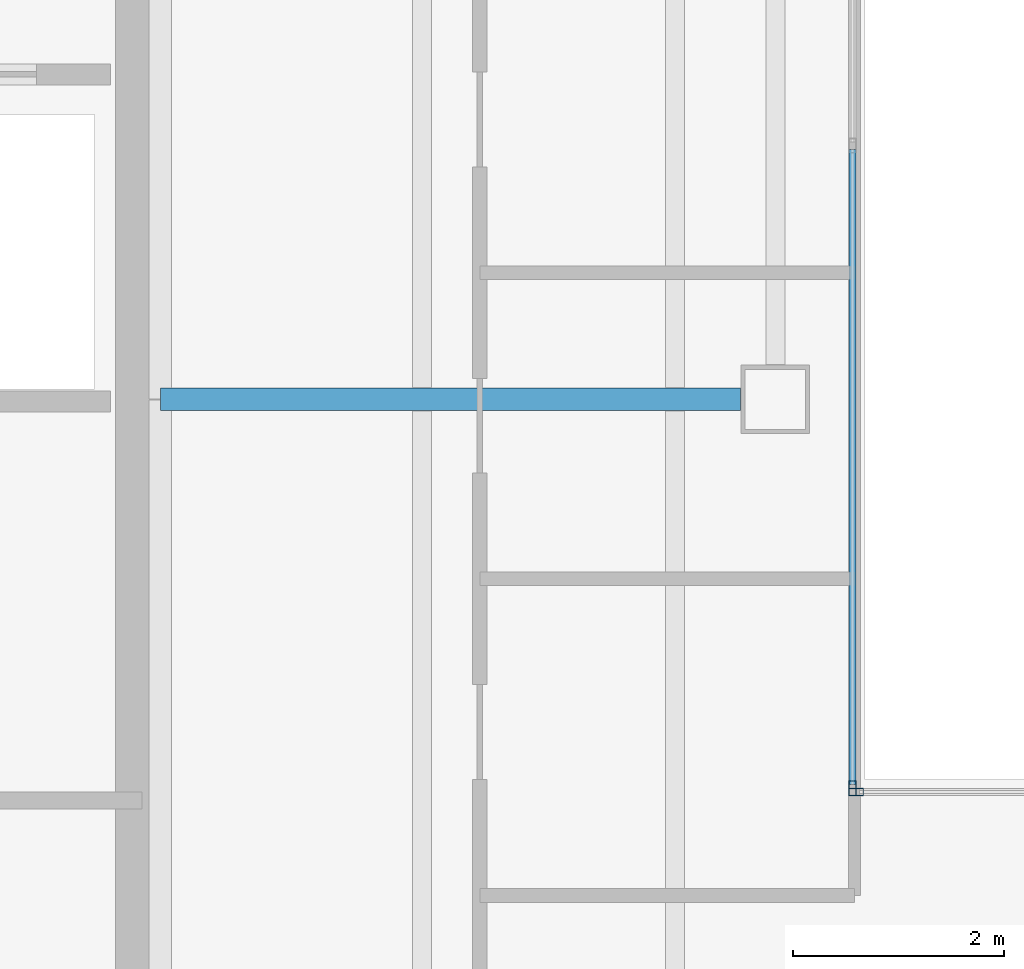
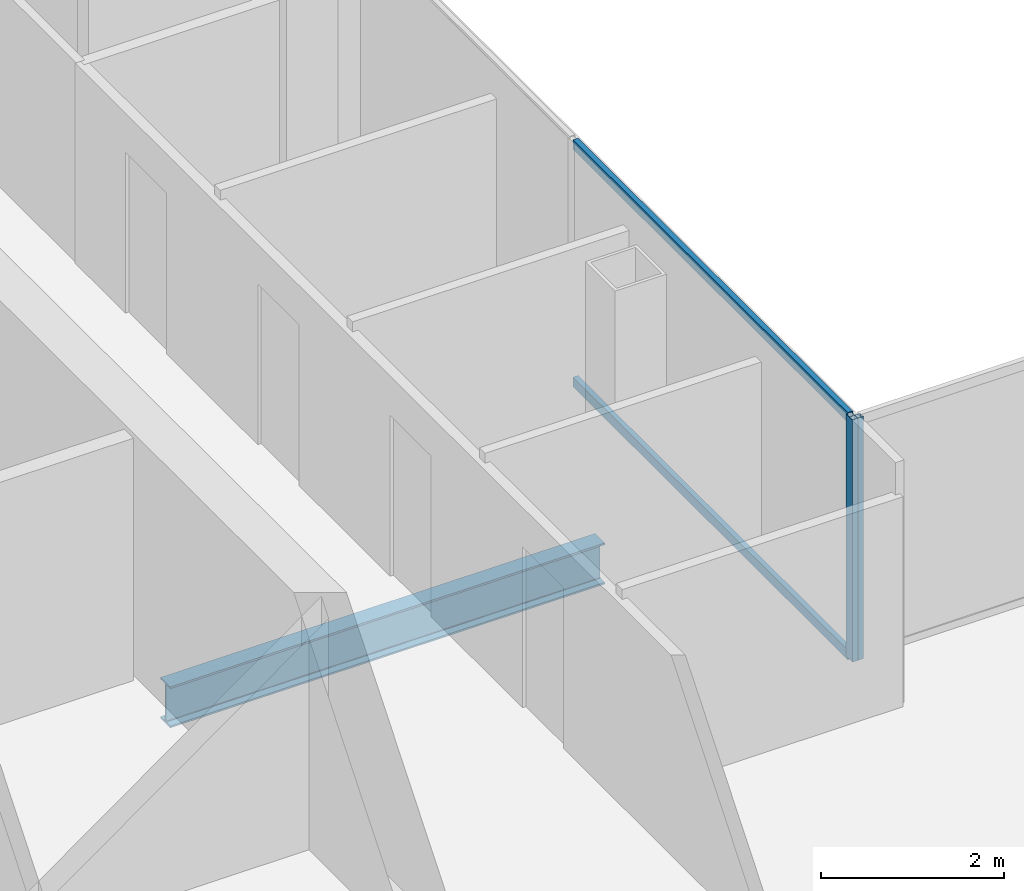
# One storey, part 8 of 23: 4 members, 1 beam, 2 elements without a shape of their own.
"""IFC4 building model written with IfcOpenShell, lengths in metres."""

from ifc_helpers import new_model, si_unit, direction, frame, origin, origin_2d, place, context, subcontext, project, spatial, hollow_rectangle, i_section, extrude, material, material_profile, profile_set, type_object, element, aggregate, save


model = new_model("IFC4")

# Units and contexts
model_context = context("Model", 3, precision=1e-05, world=origin(), true_north=direction((0.0, 1.0)))
body_context = subcontext(model_context, "Body", "Model", "MODEL_VIEW")
ifc_project = project(units=[si_unit("LENGTHUNIT", "METRE"), si_unit("AREAUNIT", "SQUARE_METRE"), si_unit("VOLUMEUNIT", "CUBIC_METRE"), si_unit("PLANEANGLEUNIT", "RADIAN"), si_unit("MASSUNIT", "GRAM", prefix="KILO")], contexts=[model_context])

# Site, building, storey
site_placement = place(None, origin())
site = spatial("IfcSite", under=ifc_project, at=site_placement, CompositionType="ELEMENT")
building_placement = place(site_placement, origin())
building = spatial("IfcBuilding", under=site, at=building_placement, Name="Cobrela Telecom Tower", CompositionType="ELEMENT")
storey_placement = place(building_placement, frame((0.0, 0.0, 251.64990234375)))
storey = spatial("IfcBuildingStorey", under=building, at=storey_placement, Name="L65", CompositionType="ELEMENT", Elevation=251.64990234375)

# Beam
ifc_material_1 = material(Name="Steel ASTM A992 Grade 50", Category="steel")
ifc_material_profile_1 = material_profile(ifc_material_1, i_section(OverallWidth=0.212890625, OverallDepth=0.549072265625, WebThickness=0.0146484375, FlangeThickness=0.023681640625, FilletRadius=0.013916015625, at=origin_2d()), Name="W21X93")
ifc_profile_set_1 = profile_set([ifc_material_profile_1], Name="Steel ASTM A992 Grade 50")
beam_type = type_object("IfcBeamType", Name="BM-GIRD-08", PredefinedType="USERDEFINED", material=ifc_profile_set_1)
beam_placement = place(storey_placement, frame((14.324951171875, 28.800048828125, -0.534423828125), z_axis=(1.0, 0.0, 0.0), x_axis=(0.0, 1.0, 0.0)))
element("IfcBeam", 1, at=beam_placement, inside=storey, type_object=beam_type, Name="L65 Primary Girder X15", ObjectType="GIRDER", PredefinedType="USERDEFINED", context=body_context, shape_type="SweptSolid", body=[
    extrude(i_section(OverallWidth=0.212890625, OverallDepth=0.549072265625, WebThickness=0.0146484375, FlangeThickness=0.023681640625, FilletRadius=0.013916015625, at=origin_2d()), origin(), (0.0, 0.0, 1.0), 5.4951171875),
])

# Curtain wall, member
ifc_material_2 = material(Name="Anodized Bronze Aluminium 6063-T6", Category="aluminium")
curtain_wall_type = type_object("IfcCurtainWallType", Name="CW-SYS-OFF-HI", PredefinedType="USERDEFINED", material=ifc_material_2)
curtain_wall_1_placement = place(storey_placement, origin())
curtain_wall_1 = element("IfcCurtainWall", 2, at=curtain_wall_1_placement, inside=storey, type_object=curtain_wall_type, Name="L65 Unitised Bronze Curtain Wall 08", ObjectType="UNITISED CURTAIN WALL", PredefinedType="USERDEFINED")
ifc_material_profile_2 = material_profile(ifc_material_2, hollow_rectangle(XDim=0.070068359375, YDim=0.139892578125, WallThickness=0.00390625, at=origin_2d()), Name="ALU 70x140x4")
ifc_profile_set_2 = profile_set([ifc_material_profile_2], Name="Anodized Bronze Aluminium 6063-T6")
member_type_1 = type_object("IfcMemberType", Name="CW-SYS-OFF-HI-MUL", PredefinedType="MULLION", material=ifc_profile_set_2)
member_1_placement = place(storey_placement, frame((20.8798828125, 25.114990234375, 0.0), z_axis=(0.0, 0.0, 1.0), x_axis=(1.0, 0.0, 0.0)))
member_1 = element("IfcMember", 3, at=member_1_placement, type_object=member_type_1, Name="CW-OFF-HI mullion 3", PredefinedType="MULLION", context=body_context, shape_type="SweptSolid", body=[
    extrude(hollow_rectangle(XDim=0.070068359375, YDim=0.139892578125, WallThickness=0.00390625, at=origin_2d()), origin(), (0.0, 0.0, 1.0), 3.239990234375),
])

curtain_wall_2_placement = place(storey_placement, origin())
curtain_wall_2 = element("IfcCurtainWall", 4, at=curtain_wall_2_placement, inside=storey, type_object=curtain_wall_type, Name="L65 Unitised Bronze Curtain Wall 09", ObjectType="UNITISED CURTAIN WALL", PredefinedType="USERDEFINED")
member_2_placement = place(storey_placement, frame((20.9150390625, 25.080078125, 0.0), z_axis=(0.0, 0.0, 1.0), x_axis=(0.0, 1.0, 0.0)))
member_2 = element("IfcMember", 5, at=member_2_placement, type_object=member_type_1, Name="CW-OFF-HI mullion 1", PredefinedType="MULLION", context=body_context, shape_type="SweptSolid", body=[
    extrude(hollow_rectangle(XDim=0.070068359375, YDim=0.139892578125, WallThickness=0.00390625, at=origin_2d()), origin(), (0.0, 0.0, 1.0), 3.239990234375),
])
aggregate(curtain_wall_2, [member_2])

# Member
ifc_material_profile_3 = material_profile(ifc_material_2, hollow_rectangle(XDim=0.06494140625, YDim=0.1298828125, WallThickness=0.00390625, at=origin_2d()), Name="ALU 65x130x4")
ifc_profile_set_3 = profile_set([ifc_material_profile_3], Name="Anodized Bronze Aluminium 6063-T6")
member_type_2 = type_object("IfcMemberType", Name="CW-SYS-OFF-HI-TRN", PredefinedType="USERDEFINED", material=ifc_profile_set_3)
member_3_placement = place(storey_placement, frame((20.8798828125, 31.169921875, 0.03271484375), z_axis=(0.0, -1.0, 0.0), x_axis=(1.0, 0.0, 0.0)))
member_3 = element("IfcMember", 6, at=member_3_placement, type_object=member_type_2, Name="CW-OFF-HI transom 2.1", ObjectType="TRANSOM", PredefinedType="USERDEFINED", context=body_context, shape_type="SweptSolid", body=[
    extrude(hollow_rectangle(XDim=0.06494140625, YDim=0.1298828125, WallThickness=0.00390625, at=origin_2d()), origin(), (0.0, 0.0, 1.0), 6.02001953125),
])

member_4_placement = place(storey_placement, frame((20.8798828125, 31.169921875, 3.20751953125), z_axis=(0.0, -1.0, 0.0), x_axis=(1.0, 0.0, 0.0)))
member_4 = element("IfcMember", 7, at=member_4_placement, type_object=member_type_2, Name="CW-OFF-HI transom 2.2", ObjectType="TRANSOM", PredefinedType="USERDEFINED", context=body_context, shape_type="SweptSolid", body=[
    extrude(hollow_rectangle(XDim=0.06494140625, YDim=0.1298828125, WallThickness=0.00390625, at=origin_2d()), origin(), (0.0, 0.0, 1.0), 6.02001953125),
])

aggregate(curtain_wall_1, [member_1, member_3, member_4])

save(model, "model.ifc")
